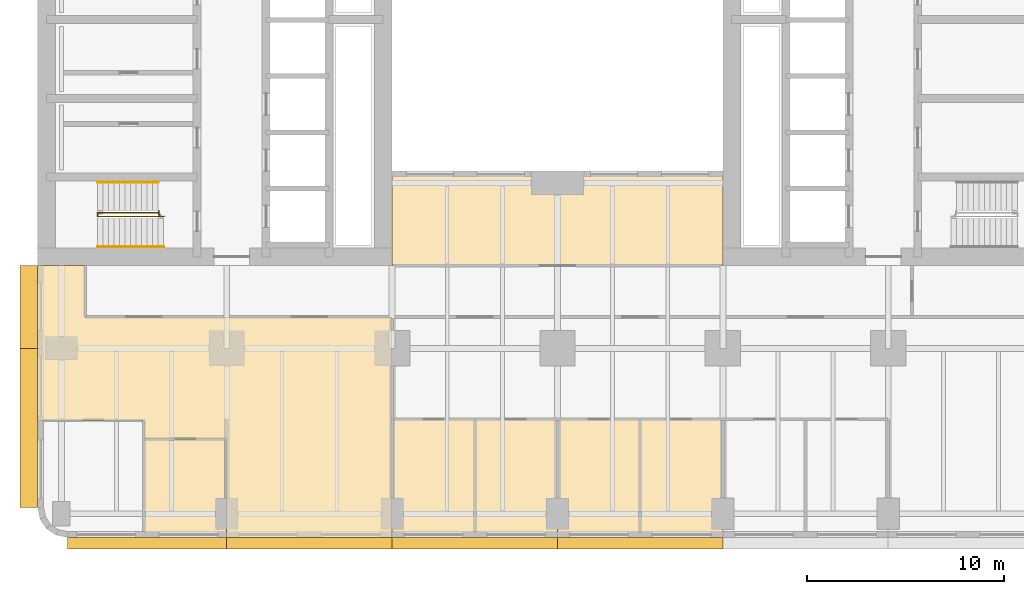
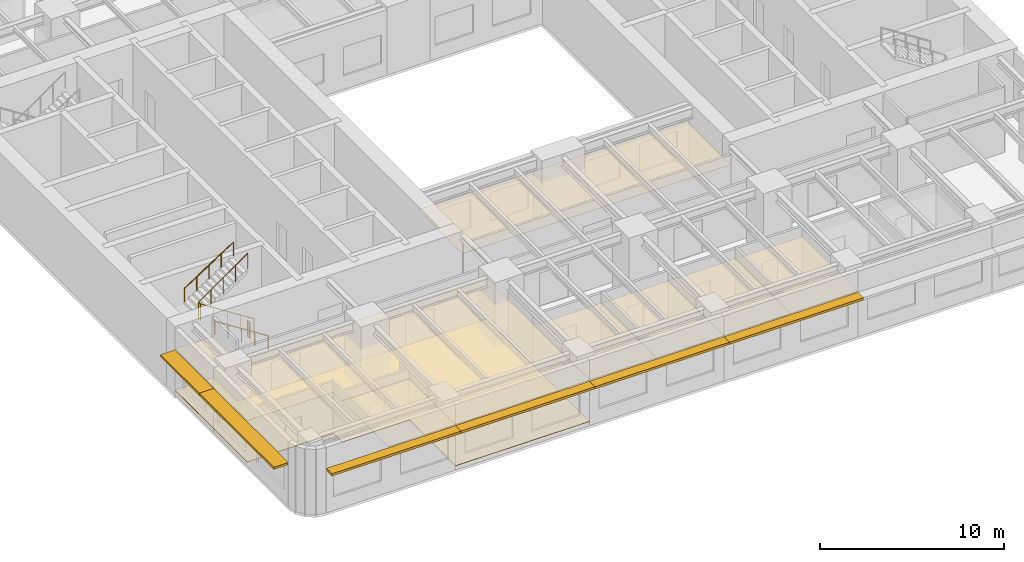
# One storey, part 9 of 12: 8 coverings, 6 shading devices, 4 railings.
"""IFC4 building model written with IfcOpenShell, lengths in metres."""

from ifc_helpers import new_model, si_unit, direction, frame, origin, origin_2d, place, context, subcontext, project, spatial, polyline, rectangle, circle, outline, extrude, material, layer, layer_set, type_object, element, save


model = new_model("IFC4")

# Units and contexts
model_context = context("Model", 3, precision=1e-05, world=origin(), true_north=direction((0.0, 1.0)))
body_context = subcontext(model_context, "Body", "Model", "MODEL_VIEW")
ifc_project = project(units=[si_unit("LENGTHUNIT", "METRE"), si_unit("AREAUNIT", "SQUARE_METRE"), si_unit("VOLUMEUNIT", "CUBIC_METRE"), si_unit("PLANEANGLEUNIT", "RADIAN"), si_unit("MASSUNIT", "GRAM", prefix="KILO")], contexts=[model_context])

# Site, building, storey
site_placement = place(None, origin())
site = spatial("IfcSite", under=ifc_project, at=site_placement, CompositionType="ELEMENT")
building_placement = place(site_placement, origin())
building = spatial("IfcBuilding", under=site, at=building_placement, Name="Claustro Exchange Tower", CompositionType="ELEMENT")
storey_placement = place(building_placement, frame((0.0, 0.0, 68.39990234375)))
storey = spatial("IfcBuildingStorey", under=building, at=storey_placement, Name="L15", CompositionType="ELEMENT", Elevation=68.39990234375)

# Coverings
ifc_material_1 = material(Name="Gypsum board ceiling", Category="gypsum board")
ifc_layer_1 = layer(ifc_material_1, 0.02490234375)
ifc_layer_set_1 = layer_set([ifc_layer_1], Name="Gypsum board ceiling")
covering_type_1 = type_object("IfcCoveringType", Name="CL2 plasterboard ceiling", PredefinedType="CEILING", material=ifc_layer_set_1)
covering_1_placement = place(storey_placement, frame((0.0, 0.0, 3.0)))
element("IfcCovering", 1, at=covering_1_placement, inside=storey, type_object=covering_type_1, Name="Ceiling CL2 L15-01", PredefinedType="CEILING", context=body_context, shape_type="SweptSolid", body=[
    extrude(outline(polyline([(4.199951171875, -1.199951171875), (8.39990234375, -1.199951171875), (8.39990234375, 3.800048828125), (4.199951171875, 3.800048828125), (4.199951171875, -1.199951171875)])), origin(), (0.0, 0.0, 1.0), 0.025146484375),
])
covering_2_placement = place(storey_placement, frame((0.0, 0.0, 3.0)))
element("IfcCovering", 2, at=covering_2_placement, inside=storey, type_object=covering_type_1, Name="Ceiling CL2 L15-03", PredefinedType="CEILING", context=body_context, shape_type="SweptSolid", body=[
    extrude(outline(polyline([(16.800048828125, -1.199951171875), (21.0, -1.199951171875), (21.0, 4.800048828125), (16.800048828125, 4.800048828125), (16.800048828125, -1.199951171875)])), origin(), (0.0, 0.0, 1.0), 0.025146484375),
])
covering_3_placement = place(storey_placement, frame((0.0, 0.0, 3.0)))
element("IfcCovering", 3, at=covering_3_placement, inside=storey, type_object=covering_type_1, Name="Ceiling CL2 L15-04", PredefinedType="CEILING", context=body_context, shape_type="SweptSolid", body=[
    extrude(outline(polyline([(21.0, -1.199951171875), (25.199951171875, -1.199951171875), (25.199951171875, 4.800048828125), (21.0, 4.800048828125), (21.0, -1.199951171875)])), origin(), (0.0, 0.0, 1.0), 0.025146484375),
])
covering_4_placement = place(storey_placement, frame((0.0, 0.0, 3.0)))
element("IfcCovering", 4, at=covering_4_placement, inside=storey, type_object=covering_type_1, Name="Ceiling CL2 L15-05", PredefinedType="CEILING", context=body_context, shape_type="SweptSolid", body=[
    extrude(outline(polyline([(25.199951171875, -1.199951171875), (29.39990234375, -1.199951171875), (29.39990234375, 4.800048828125), (25.199951171875, 4.800048828125), (25.199951171875, -1.199951171875)])), origin(), (0.0, 0.0, 1.0), 0.025146484375),
])
covering_5_placement = place(storey_placement, frame((0.0, 0.0, 3.0)))
element("IfcCovering", 5, at=covering_5_placement, inside=storey, type_object=covering_type_1, Name="Ceiling CL2 L15-06", PredefinedType="CEILING", context=body_context, shape_type="SweptSolid", body=[
    extrude(outline(polyline([(29.39990234375, -1.199951171875), (33.60009765625, -1.199951171875), (33.60009765625, 4.800048828125), (29.39990234375, 4.800048828125), (29.39990234375, -1.199951171875)])), origin(), (0.0, 0.0, 1.0), 0.025146484375),
])
covering_6_placement = place(storey_placement, frame((0.0, 0.0, 3.0)))
element("IfcCovering", 6, at=covering_6_placement, inside=storey, type_object=covering_type_1, Name="Ceiling CL2 L15-09", PredefinedType="CEILING", context=body_context, shape_type="SweptSolid", body=[
    extrude(outline(polyline([(-1.199951171875, 12.60009765625), (-1.199951171875, 4.75), (4.199951171875, 4.75), (4.199951171875, 3.800048828125), (8.39990234375, 3.800048828125), (8.39990234375, -1.199951171875), (16.800048828125, -1.199951171875), (16.800048828125, 4.800048828125), (16.800048828125, 10.0), (1.199951171875, 10.0), (1.199951171875, 12.60009765625), (-1.199951171875, 12.60009765625)])), origin(), (0.0, 0.0, 1.0), 0.025146484375),
])
covering_7_placement = place(storey_placement, frame((0.0, 0.0, 3.0)))
element("IfcCovering", 7, at=covering_7_placement, inside=storey, type_object=covering_type_1, Name="Ceiling CL2 L15-13", PredefinedType="CEILING", context=body_context, shape_type="SweptSolid", body=[
    extrude(outline(polyline([(16.800048828125, 17.39990234375), (16.800048828125, 12.60009765625), (33.60009765625, 12.60009765625), (33.60009765625, 17.39990234375), (16.800048828125, 17.39990234375)])), origin(), (0.0, 0.0, 1.0), 0.025146484375),
])

# Railings
ifc_material_2 = material(Name="Steel balustrade, painted", Category="steel")
railing_type_1 = type_object("IfcRailingType", Name="GR2 1100 steel stair guard", PredefinedType="GUARDRAIL", material=ifc_material_2)
railing_1_placement = place(storey_placement, frame((5.199951171875, 15.10009765625, 0.18017578125)))
element("IfcRailing", 8, at=railing_1_placement, inside=storey, type_object=railing_type_1, Name="Stair well guard GR2 stair STWA L15", PredefinedType="GUARDRAIL", context=body_context, shape_type="SweptSolid", body=[
    extrude(circle(Radius=0.02392578125, at=origin_2d()), frame((0.0, 0.0, 1.076171875), z_axis=(-0.841178475377, 0.0, 0.540757591313), x_axis=(0.0, -1.0, 0.0)), (0.0, 0.0, 1.0), 3.994140625),
    extrude(circle(Radius=0.02392578125, at=origin_2d()), frame((-3.35986328125, 0.0, 3.23583984375), z_axis=(0.0, 1.0, 0.0), x_axis=(-1.0, 0.0, 0.0)), (0.0, 0.0, 1.0), 0.199951171875),
    extrude(circle(Radius=0.02392578125, at=origin_2d()), frame((-3.35986328125, 0.199951171875, 3.23583984375), z_axis=(0.818728512145, 0.0, 0.574180828137), x_axis=(0.0, 1.0, 0.0)), (0.0, 0.0, 1.0), 3.76171875),
    extrude(circle(Radius=0.02099609375, at=origin_2d()), origin(), (0.0, 0.0, 1.0), 1.052001953125),
    extrude(circle(Radius=0.02099609375, at=origin_2d()), frame((-0.83984375, 0.0, 0.5400390625)), (0.0, 0.0, 1.0), 1.052001953125),
    extrude(circle(Radius=0.02099609375, at=origin_2d()), frame((-1.679931640625, 0.0, 1.080078125)), (0.0, 0.0, 1.0), 1.052001953125),
    extrude(circle(Radius=0.02099609375, at=origin_2d()), frame((-2.52001953125, 0.0, 1.619873046875)), (0.0, 0.0, 1.0), 1.052001953125),
    extrude(circle(Radius=0.02099609375, at=origin_2d()), frame((-3.35986328125, 0.0, 2.159912109375)), (0.0, 0.0, 1.0), 1.052001953125),
    extrude(circle(Radius=0.02099609375, at=origin_2d()), frame((-3.35986328125, 0.199951171875, 2.159912109375)), (0.0, 0.0, 1.0), 1.052001953125),
    extrude(circle(Radius=0.02099609375, at=origin_2d()), frame((-2.58984375, 0.199951171875, 2.699951171875)), (0.0, 0.0, 1.0), 1.052001953125),
    extrude(circle(Radius=0.02099609375, at=origin_2d()), frame((-1.81982421875, 0.199951171875, 3.23974609375)), (0.0, 0.0, 1.0), 1.052001953125),
    extrude(circle(Radius=0.02099609375, at=origin_2d()), frame((-1.050048828125, 0.199951171875, 3.77978515625)), (0.0, 0.0, 1.0), 1.052001953125),
    extrude(circle(Radius=0.02099609375, at=origin_2d()), frame((-0.280029296875, 0.199951171875, 4.31982421875)), (0.0, 0.0, 1.0), 1.052001953125),
])
railing_2_placement = place(storey_placement, frame((5.0, 15.169921875, 0.0)))
element("IfcRailing", 9, at=railing_2_placement, inside=storey, type_object=railing_type_1, Name="Stair guard GR2 STWA L15", PredefinedType="GUARDRAIL", context=body_context, shape_type="SweptSolid", body=[
    extrude(circle(Radius=0.02392578125, at=origin_2d()), frame((0.0, 0.0, 1.076171875), z_axis=(0.0, 1.0, 0.0), x_axis=(-1.0, 0.0, 0.0)), (0.0, 0.0, 1.0), 0.030029296875),
    extrude(circle(Radius=0.02392578125, at=origin_2d()), frame((0.0, 0.030029296875, 1.076171875), z_axis=(-1.0, 0.0, 0.0), x_axis=(0.0, -1.0, 0.0)), (0.0, 0.0, 1.0), 0.054931640625),
    extrude(circle(Radius=0.02392578125, at=origin_2d()), frame((-0.054931640625, 0.030029296875, 1.076171875), z_axis=(0.0, 1.0, 0.0), x_axis=(-1.0, 0.0, 0.0)), (0.0, 0.0, 1.0), 0.179931640625),
    extrude(circle(Radius=0.02099609375, at=origin_2d()), origin(), (0.0, 0.0, 1.0), 1.052001953125),
    extrude(circle(Radius=0.02099609375, at=origin_2d()), frame((0.0, 0.030029296875, 0.0)), (0.0, 0.0, 1.0), 1.052001953125),
    extrude(circle(Radius=0.02099609375, at=origin_2d()), frame((-0.054931640625, 0.030029296875, 0.0)), (0.0, 0.0, 1.0), 1.052001953125),
    extrude(circle(Radius=0.02099609375, at=origin_2d()), frame((-0.054931640625, 0.2099609375, 0.0)), (0.0, 0.0, 1.0), 1.052001953125),
])
ifc_material_3 = material(Name="Stainless steel tube", Category="steel")
railing_type_2 = type_object("IfcRailingType", Name="HR1 900 stair handrail", PredefinedType="HANDRAIL", material=ifc_material_3)
railing_3_placement = place(storey_placement, frame((5.199951171875, 13.56005859375, 0.18017578125)))
element("IfcRailing", 10, at=railing_3_placement, inside=storey, type_object=railing_type_2, Name="Handrail HR1 stair STWA L15", PredefinedType="HANDRAIL", context=body_context, shape_type="SweptSolid", body=[
    extrude(circle(Radius=0.02392578125, at=origin_2d()), frame((0.0, 0.0, 0.8759765625), z_axis=(-0.841178475377, 0.0, 0.540757591313), x_axis=(0.0, -1.0, 0.0)), (0.0, 0.0, 1.0), 3.994140625),
    extrude(circle(Radius=0.02099609375, at=origin_2d()), origin(), (0.0, 0.0, 1.0), 0.851806640625),
    extrude(circle(Radius=0.02099609375, at=origin_2d()), frame((-0.83984375, 0.0, 0.5400390625)), (0.0, 0.0, 1.0), 0.851806640625),
    extrude(circle(Radius=0.02099609375, at=origin_2d()), frame((-1.679931640625, 0.0, 1.080078125)), (0.0, 0.0, 1.0), 0.851806640625),
    extrude(circle(Radius=0.02099609375, at=origin_2d()), frame((-2.52001953125, 0.0, 1.619873046875)), (0.0, 0.0, 1.0), 0.851806640625),
    extrude(circle(Radius=0.02099609375, at=origin_2d()), frame((-3.35986328125, 0.0, 2.159912109375)), (0.0, 0.0, 1.0), 0.851806640625),
])
railing_4_placement = place(storey_placement, frame((1.840087890625, 16.840087890625, 2.52001953125)))
element("IfcRailing", 11, at=railing_4_placement, inside=storey, type_object=railing_type_2, Name="Handrail HR1 stair STWA L15", PredefinedType="HANDRAIL", context=body_context, shape_type="SweptSolid", body=[
    extrude(circle(Radius=0.02392578125, at=origin_2d()), frame((0.0, 0.0, 0.8759765625), z_axis=(0.841167642724, 0.0, 0.540774441735), x_axis=(0.0, 1.0, 0.0)), (0.0, 0.0, 1.0), 3.661376953125),
    extrude(circle(Radius=0.02099609375, at=origin_2d()), origin(), (0.0, 0.0, 1.0), 0.851806640625),
    extrude(circle(Radius=0.02099609375, at=origin_2d()), frame((0.77001953125, 0.0, 0.4951171875)), (0.0, 0.0, 1.0), 0.851806640625),
    extrude(circle(Radius=0.02099609375, at=origin_2d()), frame((1.5400390625, 0.0, 0.989990234375)), (0.0, 0.0, 1.0), 0.851806640625),
    extrude(circle(Radius=0.02099609375, at=origin_2d()), frame((2.309814453125, 0.0, 1.48486328125)), (0.0, 0.0, 1.0), 0.851806640625),
    extrude(circle(Radius=0.02099609375, at=origin_2d()), frame((3.079833984375, 0.0, 1.97998046875)), (0.0, 0.0, 1.0), 0.851806640625),
])

# Covering
ifc_material_4 = material(Name="Steel-encased raised floor panels on pedestals", Category="steel")
ifc_layer_2 = layer(ifc_material_4, 0.0400390625)
ifc_layer_set_2 = layer_set([ifc_layer_2], Name="Steel-encased raised floor panels on pedestals")
covering_type_2 = type_object("IfcCoveringType", Name="RF1 300 raised access floor", PredefinedType="FLOORING", material=ifc_layer_set_2)
covering_8_placement = place(storey_placement, frame((0.0, 0.0, 0.260009765625)))
element("IfcCovering", 12, at=covering_8_placement, inside=storey, type_object=covering_type_2, Name="Raised access floor RF1 L15-09", PredefinedType="FLOORING", context=body_context, shape_type="SweptSolid", body=[
    extrude(outline(polyline([(-1.199951171875, 12.60009765625), (-1.199951171875, 4.75), (4.199951171875, 4.75), (4.199951171875, 3.800048828125), (8.39990234375, 3.800048828125), (8.39990234375, -1.199951171875), (16.800048828125, -1.199951171875), (16.800048828125, 4.800048828125), (16.800048828125, 10.0), (1.199951171875, 10.0), (1.199951171875, 12.60009765625), (-1.199951171875, 12.60009765625)])), origin(), (0.0, 0.0, 1.0), 0.0400390625),
])

# Shading devices
ifc_material_5 = material(Name="Concrete HA-40 (C40/50), precast, white cement, acid-etched", Category="concrete")
ifc_layer_3 = layer(ifc_material_5, 0.14990234375)
ifc_layer_set_3 = layer_set([ifc_layer_3], Name="Concrete HA-40 (C40/50), precast, white cement, acid-etched")
shading_device_type_1 = type_object("IfcShadingDeviceType", Name="SS1 600 precast concrete SUNSHADE", PredefinedType="SHUTTER", material=ifc_layer_set_3)
for number, where, z_axis, x_axis, name in (
    (13, (29.39990234375, -1.5, 2.800048828125), (0.0, 0.0, 1.0), (-1.0, 0.0, 0.0), "Precast SUNSHADE SS1 L15"),
    (14, (21.0, -1.5, 2.800048828125), (0.0, 0.0, 1.0), (-1.0, 0.0, 0.0), "Precast SUNSHADE SS1 L15"),
    (15, (12.60009765625, -1.5, 2.800048828125), (0.0, 0.0, 1.0), (-1.0, 0.0, 0.0), "Precast SUNSHADE SS1 L15"),
):
    element("IfcShadingDevice", number, at=place(storey_placement, frame(where, z_axis=z_axis, x_axis=x_axis)), inside=storey, type_object=shading_device_type_1, Name=name, PredefinedType="SHUTTER", context=body_context, shape_type="SweptSolid", body=[
        extrude(rectangle(XDim=8.39990234375, YDim=0.60009765625, at=origin_2d()), origin(), (0.0, 0.0, 1.0), 0.14990234375),
    ])
shading_device_1_placement = place(storey_placement, frame((4.357421875, -1.5, 2.800048828125), z_axis=(0.0, 0.0, 1.0), x_axis=(-1.0, 0.0, 0.0)))
element("IfcShadingDevice", 16, at=shading_device_1_placement, inside=storey, type_object=shading_device_type_1, Name="Precast SUNSHADE SS1 L15", PredefinedType="SHUTTER", context=body_context, shape_type="SweptSolid", body=[
    extrude(rectangle(XDim=8.085205078125, YDim=0.60009765625, at=origin_2d()), origin(), (0.0, 0.0, 1.0), 0.14990234375),
])
ifc_material_6 = material(Name="Concrete HA-40 (C40/50), precast, white cement, acid-etched", Category="concrete")
ifc_layer_4 = layer(ifc_material_6, 0.14990234375)
ifc_layer_set_4 = layer_set([ifc_layer_4], Name="Concrete HA-40 (C40/50), precast, white cement, acid-etched")
shading_device_type_2 = type_object("IfcShadingDeviceType", Name="SS2 900 precast concrete SUNSHADE", PredefinedType="SHUTTER", material=ifc_layer_set_4)
shading_device_2_placement = place(storey_placement, frame((-1.64990234375, 4.357421875, 2.800048828125), z_axis=(0.0, 0.0, 1.0), x_axis=(0.0, 1.0, 0.0)))
element("IfcShadingDevice", 17, at=shading_device_2_placement, inside=storey, type_object=shading_device_type_2, Name="Precast SUNSHADE SS2 L15", PredefinedType="SHUTTER", context=body_context, shape_type="SweptSolid", body=[
    extrude(rectangle(XDim=8.085205078125, YDim=0.89990234375, at=origin_2d()), origin(), (0.0, 0.0, 1.0), 0.14990234375),
])
shading_device_3_placement = place(storey_placement, frame((-1.64990234375, 10.5, 2.800048828125), z_axis=(0.0, 0.0, 1.0), x_axis=(0.0, 1.0, 0.0)))
element("IfcShadingDevice", 18, at=shading_device_3_placement, inside=storey, type_object=shading_device_type_2, Name="Precast SUNSHADE SS2 L15", PredefinedType="SHUTTER", context=body_context, shape_type="SweptSolid", body=[
    extrude(rectangle(XDim=4.199951171875, YDim=0.89990234375, at=origin_2d()), origin(), (0.0, 0.0, 1.0), 0.14990234375),
])

save(model, "model.ifc")
